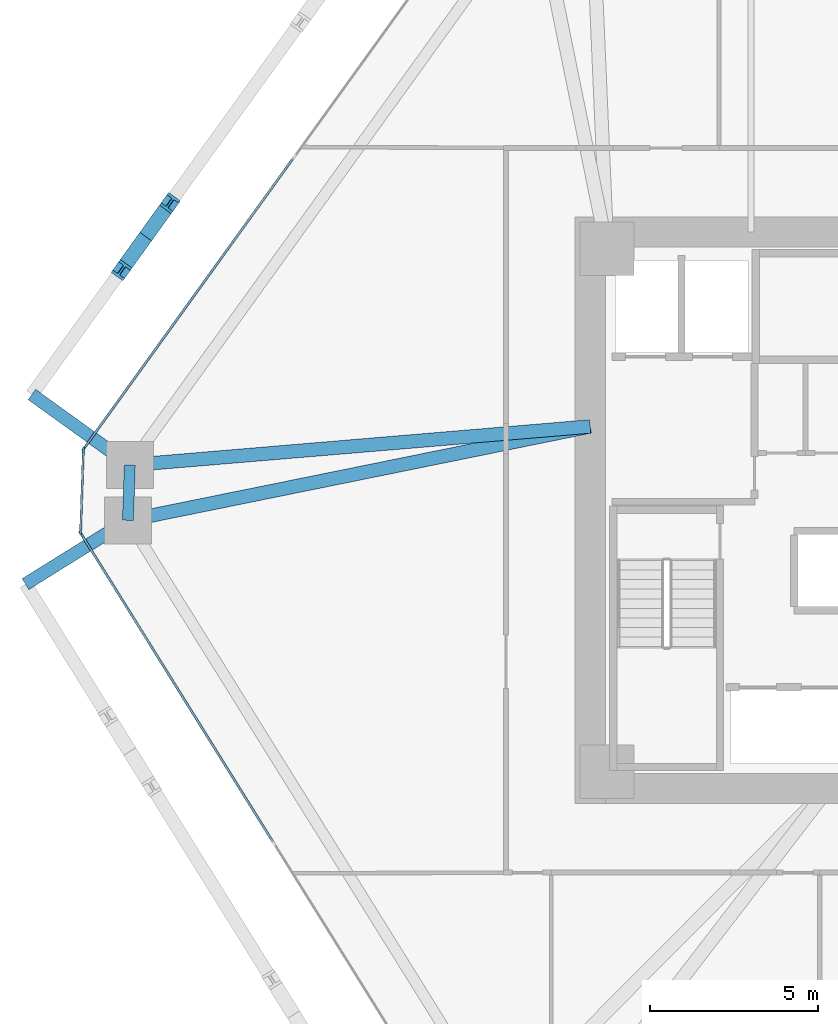
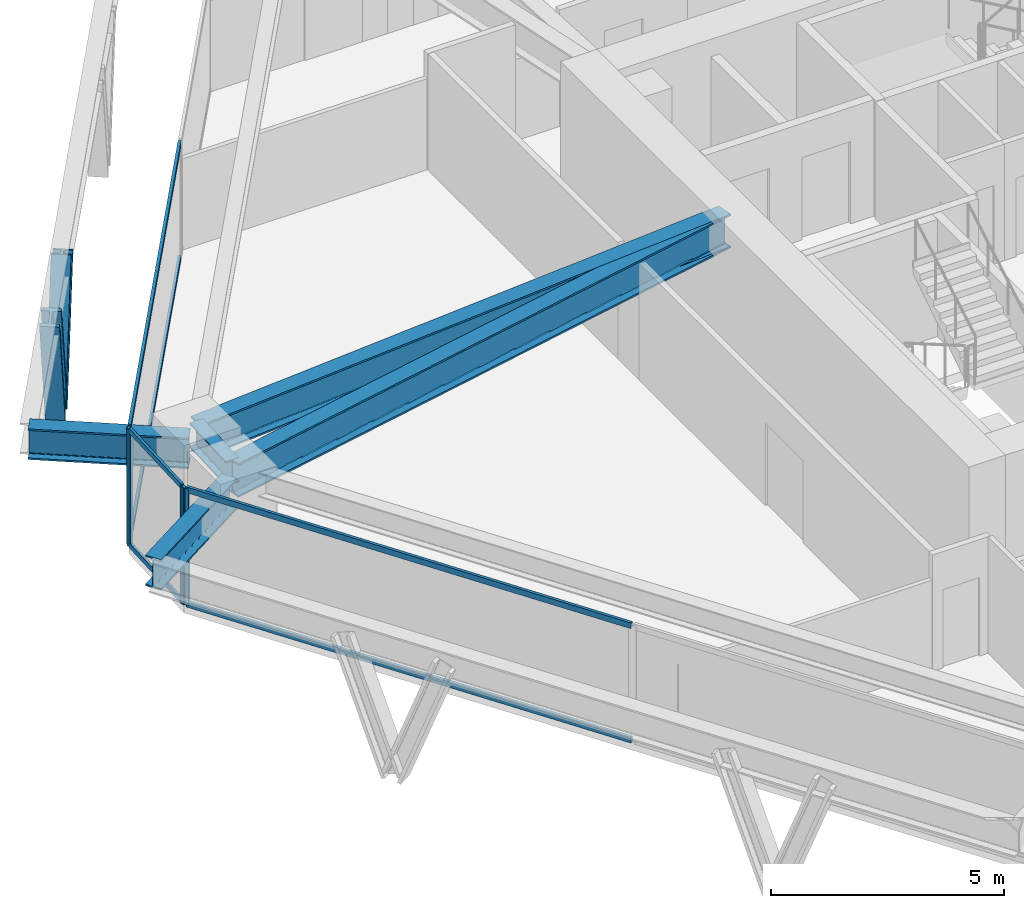
# One storey, part 4 of 15: 12 members, 5 beams, 3 elements without a shape of their own.
"""IFC4 building model written with IfcOpenShell, lengths in metres."""

from ifc_helpers import new_model, si_unit, direction, frame, origin, origin_2d, place, context, subcontext, project, spatial, rectangle, i_section, extrude, source, transform, mapped, material, layer, layer_set, material_profile, profile_set, type_object, type_shapes, element, aggregate, save


model = new_model("IFC4")

# Units and contexts
model_context = context("Model", 3, precision=1e-05, world=origin(), true_north=direction((0.0, 1.0)))
body_context = subcontext(model_context, "Body", "Model", "MODEL_VIEW")
ifc_project = project(units=[si_unit("LENGTHUNIT", "METRE"), si_unit("AREAUNIT", "SQUARE_METRE"), si_unit("VOLUMEUNIT", "CUBIC_METRE"), si_unit("PLANEANGLEUNIT", "RADIAN"), si_unit("MASSUNIT", "GRAM", prefix="KILO")], contexts=[model_context])

# Site, building, storey
site_placement = place(None, origin())
site = spatial("IfcSite", under=ifc_project, at=site_placement, CompositionType="ELEMENT")
building_placement = place(site_placement, origin())
building = spatial("IfcBuilding", under=site, at=building_placement, Name="Durnholm Broadcast Tower", CompositionType="ELEMENT")
storey_placement = place(building_placement, frame((0.0, 0.0, 55.5)))
storey = spatial("IfcBuildingStorey", under=building, at=storey_placement, Name="L13", CompositionType="ELEMENT", Elevation=55.5)

# Beams
ifc_material_1 = material(Name="Steel ASTM A992 Grade 50", Category="steel")
ifc_material_profile_1 = material_profile(ifc_material_1, i_section(OverallWidth=0.3291015625, OverallDepth=0.635009765625, WebThickness=0.017822265625, FlangeThickness=0.031005859375, FilletRadius=0.02783203125, at=origin_2d()), Name="W24X162")
ifc_profile_set_1 = profile_set([ifc_material_profile_1], Name="Steel ASTM A992 Grade 50")
beam_type_1 = type_object("IfcBeamType", Name="STL-SP-W24X162", PredefinedType="SPANDREL", material=ifc_profile_set_1)
shared_shape_1 = source(origin(), body_context, "Body", "SweptSolid", [
    extrude(i_section(OverallWidth=0.3291015625, OverallDepth=0.635009765625, WebThickness=0.017822265625, FlangeThickness=0.031005859375, FilletRadius=0.02783203125, at=origin_2d()), origin(), (0.0, 0.0, 1.0), 1.648193359375),
])
type_shapes(beam_type_1, [shared_shape_1])
beam_1_placement = place(storey_placement, frame((-24.0908203125, -0.2998046875, 2.7275390625), z_axis=(0.033921477804, 0.999424501072, 0.0), x_axis=(-0.999424501072, 0.033921477804, 0.0)))
element("IfcBeam", 1, at=beam_1_placement, inside=storey, type_object=beam_type_1, Name="L13 perimeter spandrel girder 02", PredefinedType="SPANDREL", context=body_context, shape_type="MappedRepresentation", body=[
    mapped(shared_shape_1, transform((0.0, 0.0, 0.0), x_axis=(1.0, 0.0, 0.0), y_axis=(0.0, 1.0, 0.0), z_axis=(0.0, 0.0, 1.0), scale=1.0)),
])
ifc_material_profile_2 = material_profile(ifc_material_1, i_section(OverallWidth=0.404052734375, OverallDepth=0.885009765625, WebThickness=0.0244140625, FlangeThickness=0.0439453125, FilletRadius=0.03564453125, at=origin_2d()), Name="W33X291")
ifc_profile_set_2 = profile_set([ifc_material_profile_2], Name="Steel ASTM A992 Grade 50")
beam_type_2 = type_object("IfcBeamType", Name="STL-GR-W33X291", PredefinedType="USERDEFINED", material=ifc_profile_set_2)
shared_shape_2 = source(origin(), body_context, "Body", "SweptSolid", [
    extrude(i_section(OverallWidth=0.404052734375, OverallDepth=0.885009765625, WebThickness=0.0244140625, FlangeThickness=0.0439453125, FilletRadius=0.03564453125, at=origin_2d()), origin(), (0.0, 0.0, 1.0), 14.072021484375),
])
beam_2_placement = place(storey_placement, frame((-10.300048828125, 2.5, 2.6025390625), z_axis=(-0.980007356767, -0.198961254225, 0.0), x_axis=(0.198961254225, -0.980007356767, 0.0)))
element("IfcBeam", 2, at=beam_2_placement, inside=storey, type_object=beam_type_2, Name="L13 radial primary floor girder 02", ObjectType="GIRDER", PredefinedType="USERDEFINED", context=body_context, shape_type="MappedRepresentation", body=[
    mapped(shared_shape_2, transform((0.0, 0.0, 0.0), x_axis=(1.0, 0.0, 0.0), y_axis=(0.0, 1.0, 0.0), z_axis=(0.0, 0.0, 1.0), scale=1.0)),
])
shared_shape_3 = source(origin(), body_context, "Body", "SweptSolid", [
    extrude(i_section(OverallWidth=0.404052734375, OverallDepth=0.885009765625, WebThickness=0.0244140625, FlangeThickness=0.0439453125, FilletRadius=0.03564453125, at=origin_2d()), origin(), (0.0, 0.0, 1.0), 13.783203125),
])
type_shapes(beam_type_2, [shared_shape_2, shared_shape_3])
beam_3_placement = place(storey_placement, frame((-10.300048828125, 2.5, 2.6025390625), z_axis=(-0.996497460403, -0.083623031579, 0.0), x_axis=(0.083623031579, -0.996497460403, 0.0)))
element("IfcBeam", 3, at=beam_3_placement, inside=storey, type_object=beam_type_2, Name="L13 radial primary floor girder 03", ObjectType="GIRDER", PredefinedType="USERDEFINED", context=body_context, shape_type="MappedRepresentation", body=[
    mapped(shared_shape_3, transform((0.0, 0.0, 0.0), x_axis=(1.0, 0.0, 0.0), y_axis=(0.0, 1.0, 0.0), z_axis=(0.0, 0.0, 1.0), scale=1.0)),
])
ifc_material_profile_3 = material_profile(ifc_material_1, i_section(OverallWidth=0.385009765625, OverallDepth=0.802978515625, WebThickness=0.023681640625, FlangeThickness=0.0419921875, FilletRadius=0.032958984375, at=origin_2d()), Name="W30X261")
ifc_profile_set_3 = profile_set([ifc_material_profile_3], Name="Steel ASTM A992 Grade 50")
beam_type_3 = type_object("IfcBeamType", Name="BM-EXO-TIE", PredefinedType="USERDEFINED", material=ifc_profile_set_3)
shared_shape_4 = source(origin(), body_context, "Body", "SweptSolid", [
    extrude(i_section(OverallWidth=0.385009765625, OverallDepth=0.802978515625, WebThickness=0.023681640625, FlangeThickness=0.0419921875, FilletRadius=0.032958984375, at=origin_2d()), origin(), (0.0, 0.0, 1.0), 3.4560546875),
])
beam_4_placement = place(storey_placement, frame((-24.212890625, -0.375732421875, 2.30859375), z_axis=(-0.848874183218, -0.528594949906, 0.0), x_axis=(0.528594949906, -0.848874183218, 0.0)))
element("IfcBeam", 4, at=beam_4_placement, inside=storey, type_object=beam_type_3, Name="L13 exoskeleton stand-off tie bracket F6.1", ObjectType="GIRDER", PredefinedType="USERDEFINED", context=body_context, shape_type="MappedRepresentation", body=[
    mapped(shared_shape_4, transform((0.0, 0.0, 0.0), x_axis=(1.0, 0.0, 0.0), y_axis=(0.0, 1.0, 0.0), z_axis=(0.0, 0.0, 1.0), scale=1.0)),
])
shared_shape_5 = source(origin(), body_context, "Body", "SweptSolid", [
    extrude(i_section(OverallWidth=0.385009765625, OverallDepth=0.802978515625, WebThickness=0.023681640625, FlangeThickness=0.0419921875, FilletRadius=0.032958984375, at=origin_2d()), origin(), (0.0, 0.0, 1.0), 3.455810546875),
])
type_shapes(beam_type_3, [shared_shape_4, shared_shape_5])
beam_5_placement = place(storey_placement, frame((-24.15185546875, 1.431396484375, 2.30859375), z_axis=(-0.811133512552, 0.584861030344, 0.0), x_axis=(-0.584861030344, -0.811133512552, 0.0)))
element("IfcBeam", 5, at=beam_5_placement, inside=storey, type_object=beam_type_3, Name="L13 exoskeleton stand-off tie bracket F5.2", ObjectType="GIRDER", PredefinedType="USERDEFINED", context=body_context, shape_type="MappedRepresentation", body=[
    mapped(shared_shape_5, transform((0.0, 0.0, 0.0), x_axis=(1.0, 0.0, 0.0), y_axis=(0.0, 1.0, 0.0), z_axis=(0.0, 0.0, 1.0), scale=1.0)),
])

# Members
ifc_material_2 = material(Name="Steel ASTM A913 Grade 65", Category="steel")
ifc_material_profile_4 = material_profile(ifc_material_2, i_section(OverallWidth=0.43212890625, OverallDepth=0.497802734375, WebThickness=0.0556640625, FlangeThickness=0.0888671875, FilletRadius=0.030517578125, at=origin_2d()), Name="W14X500")
ifc_profile_set_4 = profile_set([ifc_material_profile_4], Name="Steel ASTM A913 Grade 65")
member_type_1 = type_object("IfcMemberType", Name="STL-DG-W14X500", PredefinedType="BRACE", material=ifc_profile_set_4)
shared_shape_6 = source(origin(), body_context, "Body", "SweptSolid", [
    extrude(i_section(OverallWidth=0.43212890625, OverallDepth=0.497802734375, WebThickness=0.0556640625, FlangeThickness=0.0888671875, FilletRadius=0.030517578125, at=origin_2d()), origin(), (0.0, 0.0, 1.0), 3.523193359375),
])
type_shapes(member_type_1, [shared_shape_6])
for number, where, z_axis, x_axis, name in (
    (6, (-23.5595703125, 8.16259765625, -0.991455078125), (0.204839138341, 0.284044529113, 0.93667477434), (-0.81109123444, 0.58491966065, 0.0), "L13 stand-off diagrid brace F5.D2.1"),
    (7, (-23.5595703125, 8.16259765625, -0.991455078125), (-0.20477274847, -0.284048560399, 0.936688068046), (0.811185111535, -0.584789461963, 0.0), "L13 stand-off diagrid brace F5.D2.2"),
):
    element("IfcMember", number, at=place(storey_placement, frame(where, z_axis=z_axis, x_axis=x_axis)), inside=storey, type_object=member_type_1, Name=name, PredefinedType="BRACE", context=body_context, shape_type="MappedRepresentation", body=[
        mapped(shared_shape_6, transform((0.0, 0.0, 0.0), x_axis=(1.0, 0.0, 0.0), y_axis=(0.0, 1.0, 0.0), z_axis=(0.0, 0.0, 1.0), scale=1.0)),
    ])

# Curtain wall, members
ifc_material_3 = material(Name="Aluminium and Solar Control IGU", Category="aluminium")
ifc_layer_1 = layer(ifc_material_3, 0.1650390625)
ifc_layer_set_1 = layer_set([ifc_layer_1], Name="Aluminium and Solar Control IGU")
curtain_wall_type_1 = type_object("IfcCurtainWallType", Name="CW-SYS-5", PredefinedType="NOTDEFINED", material=ifc_layer_set_1)
curtain_wall_1_placement = place(storey_placement, origin())
curtain_wall_1 = element("IfcCurtainWall", 8, at=curtain_wall_1_placement, inside=storey, type_object=curtain_wall_type_1, Name="L13 curtain wall CW-CORNER CW-L13-CRN-01", PredefinedType="NOTDEFINED")
ifc_material_4 = material(Name="Aluminium 6063-T6", Category="aluminium")
ifc_material_profile_5 = material_profile(ifc_material_4, rectangle(XDim=0.06494140625, YDim=0.1650390625, at=origin_2d()), Name="CWM65X165")
ifc_profile_set_5 = profile_set([ifc_material_profile_5], Name="Aluminium 6063-T6")
member_type_2 = type_object("IfcMemberType", Name="CW-SYS-5-MUL", PredefinedType="MULLION", material=ifc_profile_set_5)
shared_shape_7 = source(origin(), body_context, "Body", "SweptSolid", [
    extrude(rectangle(XDim=0.06494140625, YDim=0.1650390625, at=origin_2d()), origin(), (0.0, 0.0, 1.0), 3.06005859375),
])
type_shapes(member_type_2, [shared_shape_7])
member_1_placement = place(storey_placement, frame((-25.50341796875, -0.6455078125, 0.0), z_axis=(0.0, 0.0, 1.0), x_axis=(-0.999427277772, 0.033839569233, 0.0)))
member_1 = element("IfcMember", 9, at=member_1_placement, type_object=member_type_2, Name="CW-CORNER mullion 1", PredefinedType="MULLION", context=body_context, shape_type="MappedRepresentation", body=[
    mapped(shared_shape_7, transform((0.0, 0.0, 0.0), x_axis=(1.0, 0.0, 0.0), y_axis=(0.0, 1.0, 0.0), z_axis=(0.0, 0.0, 1.0), scale=1.0)),
])
member_2_placement = place(storey_placement, frame((-25.4208984375, 1.7880859375, 0.0), z_axis=(0.0, 0.0, 1.0), x_axis=(-0.999427277772, 0.033839569233, 0.0)))
member_2 = element("IfcMember", 10, at=member_2_placement, type_object=member_type_2, Name="CW-CORNER mullion 2", PredefinedType="MULLION", context=body_context, shape_type="MappedRepresentation", body=[
    mapped(shared_shape_7, transform((0.0, 0.0, 0.0), x_axis=(1.0, 0.0, 0.0), y_axis=(0.0, 1.0, 0.0), z_axis=(0.0, 0.0, 1.0), scale=1.0)),
])
ifc_material_profile_6 = material_profile(ifc_material_4, rectangle(XDim=0.06494140625, YDim=0.1298828125, at=origin_2d()), Name="CWT65X130")
ifc_profile_set_6 = profile_set([ifc_material_profile_6], Name="Aluminium 6063-T6")
member_type_3 = type_object("IfcMemberType", Name="CW-SYS-5-TRN", PredefinedType="USERDEFINED", material=ifc_profile_set_6)
shared_shape_8 = source(origin(), body_context, "Body", "SweptSolid", [
    extrude(rectangle(XDim=0.06494140625, YDim=0.1298828125, at=origin_2d()), origin(), (0.0, 0.0, 1.0), 2.3701171875),
])
type_shapes(member_type_3, [shared_shape_8])
member_3_placement = place(storey_placement, frame((-25.502197265625, -0.613037109375, 0.032470703125), z_axis=(0.033788158898, 0.999429017148, 0.0), x_axis=(-0.999429017148, 0.033788158898, 0.0)))
member_3 = element("IfcMember", 11, at=member_3_placement, type_object=member_type_3, Name="CW-CORNER transom 1.1", ObjectType="TRANSOM", PredefinedType="USERDEFINED", context=body_context, shape_type="MappedRepresentation", body=[
    mapped(shared_shape_8, transform((0.0, 0.0, 0.0), x_axis=(1.0, 0.0, 0.0), y_axis=(0.0, 1.0, 0.0), z_axis=(0.0, 0.0, 1.0), scale=1.0)),
])
member_4_placement = place(storey_placement, frame((-25.502197265625, -0.613037109375, 3.027587890625), z_axis=(0.033788158898, 0.999429017148, 0.0), x_axis=(-0.999429017148, 0.033788158898, 0.0)))
member_4 = element("IfcMember", 12, at=member_4_placement, type_object=member_type_3, Name="CW-CORNER transom 1.2", ObjectType="TRANSOM", PredefinedType="USERDEFINED", context=body_context, shape_type="MappedRepresentation", body=[
    mapped(shared_shape_8, transform((0.0, 0.0, 0.0), x_axis=(1.0, 0.0, 0.0), y_axis=(0.0, 1.0, 0.0), z_axis=(0.0, 0.0, 1.0), scale=1.0)),
])
aggregate(curtain_wall_1, [member_1, member_2, member_3, member_4])

# Curtain wall, member
ifc_layer_2 = layer(ifc_material_3, 0.18994140625)
ifc_layer_set_2 = layer_set([ifc_layer_2], Name="Aluminium and Solar Control IGU")
curtain_wall_type_2 = type_object("IfcCurtainWallType", Name="CW-SYS-3", PredefinedType="NOTDEFINED", material=ifc_layer_set_2)
curtain_wall_2_placement = place(storey_placement, origin())
curtain_wall_2 = element("IfcCurtainWall", 13, at=curtain_wall_2_placement, inside=storey, type_object=curtain_wall_type_2, Name="L13 curtain wall CW-Z12-VIS CW-L13-F02", PredefinedType="NOTDEFINED")
ifc_material_profile_7 = material_profile(ifc_material_4, rectangle(XDim=0.070068359375, YDim=0.18994140625, at=origin_2d()), Name="CWM70X190")
ifc_profile_set_7 = profile_set([ifc_material_profile_7], Name="Aluminium 6063-T6")
member_type_4 = type_object("IfcMemberType", Name="CW-SYS-3-MUL", PredefinedType="MULLION", material=ifc_profile_set_7)
shared_shape_9 = source(origin(), body_context, "Body", "SweptSolid", [
    extrude(rectangle(XDim=0.070068359375, YDim=0.18994140625, at=origin_2d()), origin(), (0.0, 0.0, 1.0), 3.06005859375),
])
type_shapes(member_type_4, [shared_shape_9])
member_5_placement = place(storey_placement, frame((-25.3994140625, 1.848876953125, 0.0), z_axis=(0.0, 0.0, 1.0), x_axis=(-0.81116057493, 0.584823496176, 0.0)))
member_5 = element("IfcMember", 14, at=member_5_placement, type_object=member_type_4, Name="CW-Z12-VIS mullion 1", PredefinedType="MULLION", context=body_context, shape_type="MappedRepresentation", body=[
    mapped(shared_shape_9, transform((0.0, 0.0, 0.0), x_axis=(1.0, 0.0, 0.0), y_axis=(0.0, 1.0, 0.0), z_axis=(0.0, 0.0, 1.0), scale=1.0)),
])

curtain_wall_3_placement = place(storey_placement, origin())
curtain_wall_3 = element("IfcCurtainWall", 15, at=curtain_wall_3_placement, inside=storey, type_object=curtain_wall_type_2, Name="L13 curtain wall CW-Z12-VIS CW-L13-F12", PredefinedType="NOTDEFINED")
member_6_placement = place(storey_placement, frame((-25.48583984375, -0.707763671875, 0.0), z_axis=(0.0, 0.0, 1.0), x_axis=(-0.848875785503, -0.528592376777, 0.0)))
member_6 = element("IfcMember", 16, at=member_6_placement, type_object=member_type_4, Name="CW-Z12-VIS mullion 3", PredefinedType="MULLION", context=body_context, shape_type="MappedRepresentation", body=[
    mapped(shared_shape_9, transform((0.0, 0.0, 0.0), x_axis=(1.0, 0.0, 0.0), y_axis=(0.0, 1.0, 0.0), z_axis=(0.0, 0.0, 1.0), scale=1.0)),
])

# Member
ifc_material_profile_8 = material_profile(ifc_material_4, rectangle(XDim=0.070068359375, YDim=0.14990234375, at=origin_2d()), Name="CWT70X150")
ifc_profile_set_8 = profile_set([ifc_material_profile_8], Name="Aluminium 6063-T6")
member_type_5 = type_object("IfcMemberType", Name="CW-SYS-3-TRN", PredefinedType="USERDEFINED", material=ifc_profile_set_8)
shared_shape_10 = source(origin(), body_context, "Body", "SweptSolid", [
    extrude(rectangle(XDim=0.070068359375, YDim=0.14990234375, at=origin_2d()), origin(), (0.0, 0.0, 1.0), 10.6455078125),
])
member_7_placement = place(storey_placement, frame((-25.37890625, 1.877197265625, 0.034912109375), z_axis=(0.584812103659, 0.811168788486, 0.0), x_axis=(-0.811168788486, 0.584812103659, 0.0)))
member_7 = element("IfcMember", 17, at=member_7_placement, type_object=member_type_5, Name="CW-Z12-VIS transom 1.1", ObjectType="TRANSOM", PredefinedType="USERDEFINED", context=body_context, shape_type="MappedRepresentation", body=[
    mapped(shared_shape_10, transform((0.0, 0.0, 0.0), x_axis=(1.0, 0.0, 0.0), y_axis=(0.0, 1.0, 0.0), z_axis=(0.0, 0.0, 1.0), scale=1.0)),
])

member_8_placement = place(storey_placement, frame((-25.37890625, 1.877197265625, 3.02490234375), z_axis=(0.584812103659, 0.811168788486, 0.0), x_axis=(-0.811168788486, 0.584812103659, 0.0)))
member_8 = element("IfcMember", 18, at=member_8_placement, type_object=member_type_5, Name="CW-Z12-VIS transom 1.2", ObjectType="TRANSOM", PredefinedType="USERDEFINED", context=body_context, shape_type="MappedRepresentation", body=[
    mapped(shared_shape_10, transform((0.0, 0.0, 0.0), x_axis=(1.0, 0.0, 0.0), y_axis=(0.0, 1.0, 0.0), z_axis=(0.0, 0.0, 1.0), scale=1.0)),
])

aggregate(curtain_wall_2, [member_5, member_7, member_8])

shared_shape_11 = source(origin(), body_context, "Body", "SweptSolid", [
    extrude(rectangle(XDim=0.070068359375, YDim=0.14990234375, at=origin_2d()), origin(), (0.0, 0.0, 1.0), 10.796630859375),
])
type_shapes(member_type_5, [shared_shape_10, shared_shape_11])
member_9_placement = place(storey_placement, frame((-19.760498046875, -9.902587890625, 0.034912109375), z_axis=(-0.528575362968, 0.848886379714, 0.0), x_axis=(-0.848886379714, -0.528575362968, 0.0)))
member_9 = element("IfcMember", 19, at=member_9_placement, type_object=member_type_5, Name="CW-Z12-VIS transom 2.1", ObjectType="TRANSOM", PredefinedType="USERDEFINED", context=body_context, shape_type="MappedRepresentation", body=[
    mapped(shared_shape_11, transform((0.0, 0.0, 0.0), x_axis=(1.0, 0.0, 0.0), y_axis=(0.0, 1.0, 0.0), z_axis=(0.0, 0.0, 1.0), scale=1.0)),
])

member_10_placement = place(storey_placement, frame((-19.760498046875, -9.902587890625, 3.02490234375), z_axis=(-0.528575362968, 0.848886379714, 0.0), x_axis=(-0.848886379714, -0.528575362968, 0.0)))
member_10 = element("IfcMember", 20, at=member_10_placement, type_object=member_type_5, Name="CW-Z12-VIS transom 2.2", ObjectType="TRANSOM", PredefinedType="USERDEFINED", context=body_context, shape_type="MappedRepresentation", body=[
    mapped(shared_shape_11, transform((0.0, 0.0, 0.0), x_axis=(1.0, 0.0, 0.0), y_axis=(0.0, 1.0, 0.0), z_axis=(0.0, 0.0, 1.0), scale=1.0)),
])

aggregate(curtain_wall_3, [member_6, member_9, member_10])

save(model, "model.ifc")
